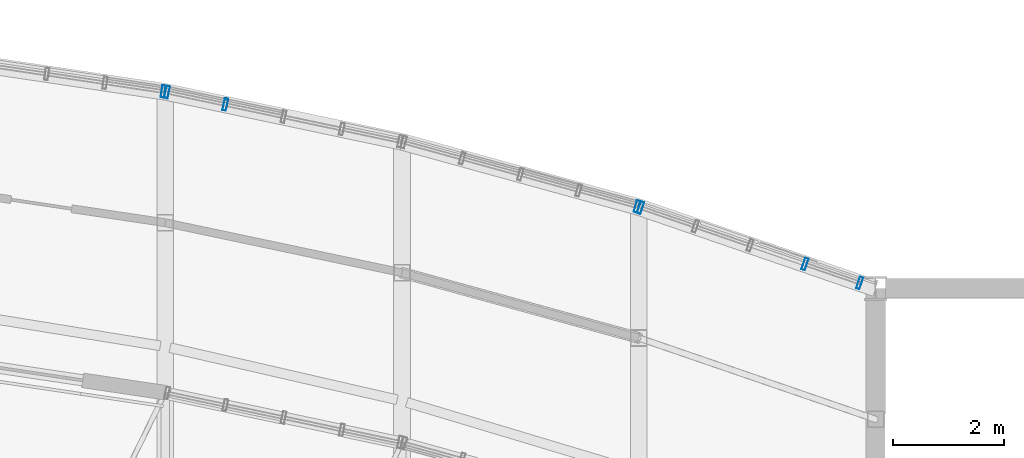
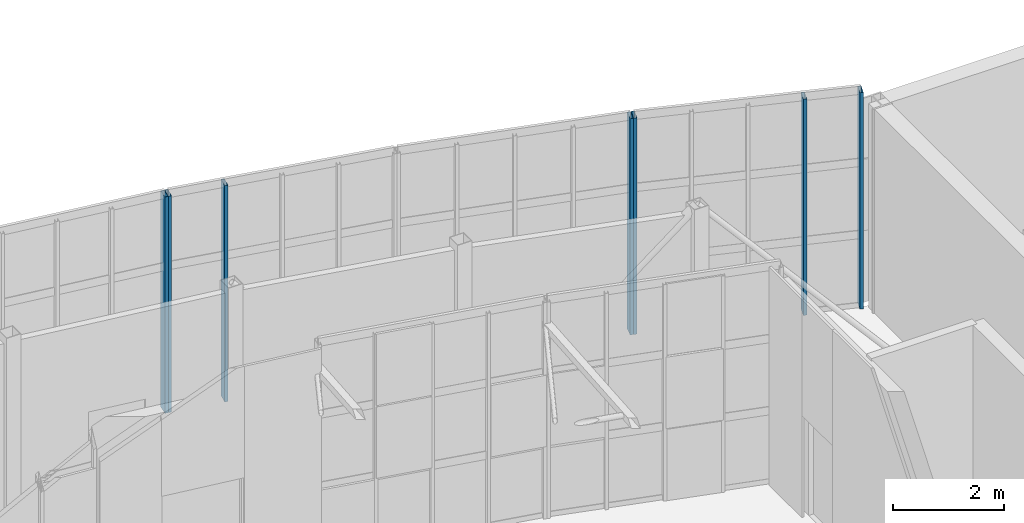
# One storey, part 24 of 35: 7 members, 4 elements without a shape of their own.
"""IFC4 building model written with IfcOpenShell, lengths in metres."""

from ifc_helpers import new_model, si_unit, direction, frame, origin, origin_2d, place, context, subcontext, project, spatial, hollow_rectangle, extrude, material, material_profile, profile_set, type_object, element, aggregate, save


model = new_model("IFC4")

# Units and contexts
model_context = context("Model", 3, precision=1e-05, world=origin(), true_north=direction((0.0, 1.0)))
body_context = subcontext(model_context, "Body", "Model", "MODEL_VIEW")
ifc_project = project(units=[si_unit("LENGTHUNIT", "METRE"), si_unit("AREAUNIT", "SQUARE_METRE"), si_unit("VOLUMEUNIT", "CUBIC_METRE"), si_unit("PLANEANGLEUNIT", "RADIAN"), si_unit("MASSUNIT", "GRAM", prefix="KILO")], contexts=[model_context])

# Site, building, storey
site_placement = place(None, origin())
site = spatial("IfcSite", under=ifc_project, at=site_placement, CompositionType="ELEMENT")
building_placement = place(site_placement, origin())
building = spatial("IfcBuilding", under=site, at=building_placement, Name="Solvikara Media Centre", CompositionType="ELEMENT")
storey_placement = place(building_placement, frame((0.0, 0.0, 29.39990234375)))
storey = spatial("IfcBuildingStorey", under=building, at=storey_placement, Name="L06", CompositionType="ELEMENT", Elevation=29.39990234375)

# Curtain wall, member
ifc_material = material(Name="Anodised aluminium EN AW-6063", Category="aluminium")
curtain_wall_type = type_object("IfcCurtainWallType", Name="CW-13", PredefinedType="NOTDEFINED", material=ifc_material)
curtain_wall_1_placement = place(storey_placement, origin())
curtain_wall_1 = element("IfcCurtainWall", 1, at=curtain_wall_1_placement, inside=storey, type_object=curtain_wall_type, Name="CW-L06-NARC-08", PredefinedType="NOTDEFINED")
ifc_material_profile = material_profile(ifc_material, hollow_rectangle(XDim=0.06494140625, YDim=0.219970703125, WallThickness=0.00390625, at=origin_2d()), Name="ALU-M 65x220x4")
ifc_profile_set = profile_set([ifc_material_profile], Name="Anodised aluminium EN AW-6063")
member_type = type_object("IfcMemberType", Name="MF-01", PredefinedType="MULLION", material=ifc_profile_set)
member_1_placement = place(storey_placement, frame((114.715087890625, 40.333984375, 0.02001953125), z_axis=(0.0, 0.0, 1.0), x_axis=(0.989005541908, -0.147878457102, 0.0)))
member_1 = element("IfcMember", 2, at=member_1_placement, type_object=member_type, Name="CW-L06-NARC-08-M04", PredefinedType="MULLION", context=body_context, shape_type="SweptSolid", body=[
    extrude(hollow_rectangle(XDim=0.06494140625, YDim=0.219970703125, WallThickness=0.00390625, at=origin_2d()), origin(), (0.0, 0.0, 1.0), 4.760009765625),
])
aggregate(curtain_wall_1, [member_1])

# Curtain wall, members
curtain_wall_2_placement = place(storey_placement, origin())
curtain_wall_2 = element("IfcCurtainWall", 3, at=curtain_wall_2_placement, inside=storey, type_object=curtain_wall_type, Name="CW-L06-NARC-09", PredefinedType="NOTDEFINED")
member_2_placement = place(storey_placement, frame((114.783935546875, 40.322021484375, 0.02001953125), z_axis=(0.0, 0.0, 1.0), x_axis=(0.97837923005, -0.206818959981, 0.0)))
member_2 = element("IfcMember", 4, at=member_2_placement, type_object=member_type, Name="CW-L06-NARC-09-M00", PredefinedType="MULLION", context=body_context, shape_type="SweptSolid", body=[
    extrude(hollow_rectangle(XDim=0.06494140625, YDim=0.219970703125, WallThickness=0.00390625, at=origin_2d()), origin(), (0.0, 0.0, 1.0), 4.760009765625),
])
member_3_placement = place(storey_placement, frame((115.830078125, 40.10107421875, 0.02001953125), z_axis=(0.0, 0.0, 1.0), x_axis=(0.97837923005, -0.206818959981, 0.0)))
member_3 = element("IfcMember", 5, at=member_3_placement, type_object=member_type, Name="CW-L06-NARC-09-M01", PredefinedType="MULLION", context=body_context, shape_type="SweptSolid", body=[
    extrude(hollow_rectangle(XDim=0.06494140625, YDim=0.219970703125, WallThickness=0.00390625, at=origin_2d()), origin(), (0.0, 0.0, 1.0), 4.760009765625),
])
aggregate(curtain_wall_2, [member_2, member_3])

# Curtain wall, member
curtain_wall_3_placement = place(storey_placement, origin())
curtain_wall_3 = element("IfcCurtainWall", 6, at=curtain_wall_3_placement, inside=storey, type_object=curtain_wall_type, Name="CW-L06-NARC-10", PredefinedType="NOTDEFINED")
member_4_placement = place(storey_placement, frame((123.216064453125, 38.26904296875, 0.02001953125), z_axis=(0.0, 0.0, 1.0), x_axis=(0.964030487854, -0.265791682504, 0.0)))
member_4 = element("IfcMember", 7, at=member_4_placement, type_object=member_type, Name="CW-L06-NARC-10-M04", PredefinedType="MULLION", context=body_context, shape_type="SweptSolid", body=[
    extrude(hollow_rectangle(XDim=0.06494140625, YDim=0.219970703125, WallThickness=0.00390625, at=origin_2d()), origin(), (0.0, 0.0, 1.0), 4.760009765625),
])
aggregate(curtain_wall_3, [member_4])

# Curtain wall, members
curtain_wall_4_placement = place(storey_placement, origin())
curtain_wall_4 = element("IfcCurtainWall", 8, at=curtain_wall_4_placement, inside=storey, type_object=curtain_wall_type, Name="CW-L06-NARC-11", PredefinedType="NOTDEFINED")
member_5_placement = place(storey_placement, frame((123.282958984375, 38.2490234375, 0.02001953125), z_axis=(0.0, 0.0, 1.0), x_axis=(0.945705932557, -0.325023520882, 0.0)))
member_5 = element("IfcMember", 9, at=member_5_placement, type_object=member_type, Name="CW-L06-NARC-11-M00", PredefinedType="MULLION", context=body_context, shape_type="SweptSolid", body=[
    extrude(hollow_rectangle(XDim=0.06494140625, YDim=0.219970703125, WallThickness=0.00390625, at=origin_2d()), origin(), (0.0, 0.0, 1.0), 4.760009765625),
])
member_6_placement = place(storey_placement, frame((126.23193359375, 37.236083984375, 0.02001953125), z_axis=(0.0, 0.0, 1.0), x_axis=(0.945705932557, -0.325023520882, 0.0)))
member_6 = element("IfcMember", 10, at=member_6_placement, type_object=member_type, Name="CW-L06-NARC-11-M03", PredefinedType="MULLION", context=body_context, shape_type="SweptSolid", body=[
    extrude(hollow_rectangle(XDim=0.06494140625, YDim=0.219970703125, WallThickness=0.00390625, at=origin_2d()), origin(), (0.0, 0.0, 1.0), 4.760009765625),
])
member_7_placement = place(storey_placement, frame((127.214111328125, 36.89794921875, 0.02001953125), z_axis=(0.0, 0.0, 1.0), x_axis=(0.945705932557, -0.325023520882, 0.0)))
member_7 = element("IfcMember", 11, at=member_7_placement, type_object=member_type, Name="CW-L06-NARC-11-M04", PredefinedType="MULLION", context=body_context, shape_type="SweptSolid", body=[
    extrude(hollow_rectangle(XDim=0.06494140625, YDim=0.219970703125, WallThickness=0.00390625, at=origin_2d()), origin(), (0.0, 0.0, 1.0), 4.760009765625),
])
aggregate(curtain_wall_4, [member_5, member_6, member_7])

save(model, "model.ifc")
